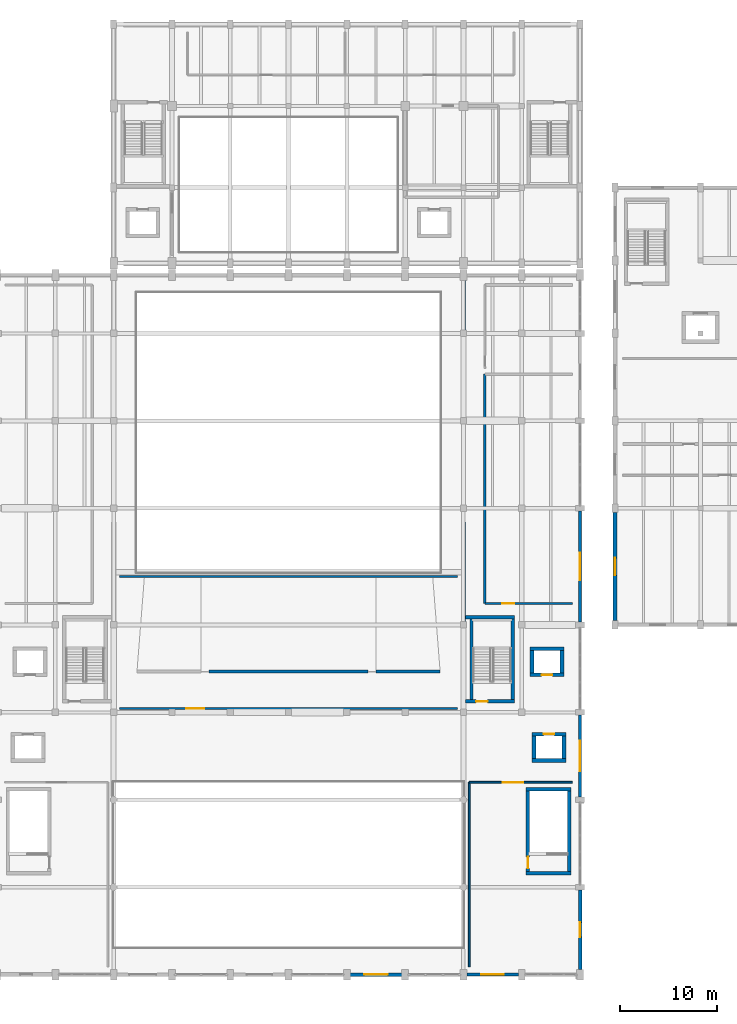
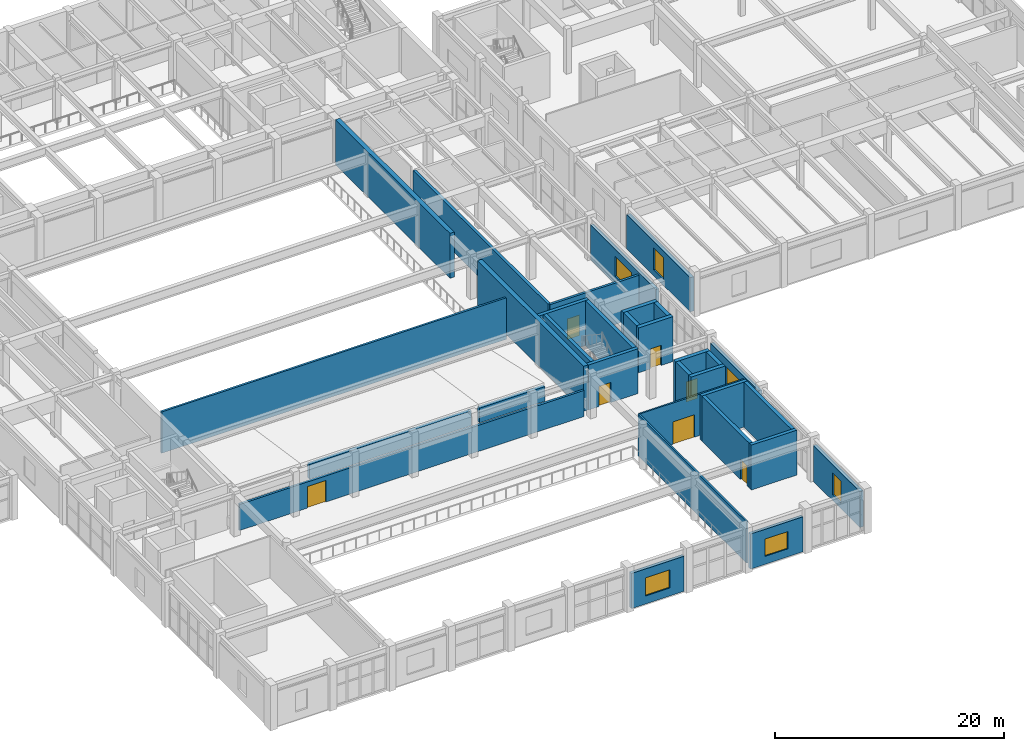
# One storey, part 58 of 80: 32 walls, 7 doors, 6 windows, 13 openings.
"""IFC4 building model written with IfcOpenShell, lengths in metres."""

from ifc_helpers import new_model, si_unit, direction, frame, frame_2d, origin, place, context, subcontext, project, spatial, rectangle, extrude, material, layer, layer_set, type_object, element, fill, save


model = new_model("IFC4")

# Units and contexts
model_context = context("Model", 3, precision=1e-05, world=origin(), true_north=direction((0.0, 1.0)))
body_context = subcontext(model_context, "Body", "Model", "MODEL_VIEW")
ifc_project = project(units=[si_unit("LENGTHUNIT", "METRE"), si_unit("AREAUNIT", "SQUARE_METRE"), si_unit("VOLUMEUNIT", "CUBIC_METRE"), si_unit("PLANEANGLEUNIT", "RADIAN"), si_unit("MASSUNIT", "GRAM", prefix="KILO")], contexts=[model_context])

# Site, building, storey
site_placement = place(None, origin())
site = spatial("IfcSite", under=ifc_project, at=site_placement, CompositionType="ELEMENT")
building_placement = place(site_placement, origin())
building = spatial("IfcBuilding", under=site, at=building_placement, Name="Vaelkrest Opera House", CompositionType="ELEMENT")
storey_placement = place(building_placement, frame((0.0, 0.0, 15.0)))
storey = spatial("IfcBuildingStorey", under=building, at=storey_placement, Name="L03", CompositionType="ELEMENT", Elevation=15.0)

# Wall, opening, window
ifc_material_1 = material(Name="American black walnut acoustic timber", Category="wood")
ifc_layer_1 = layer(ifc_material_1, 0.31494140625)
ifc_layer_set_1 = layer_set([ifc_layer_1], Name="American black walnut acoustic timber")
wall_type_1 = type_object("IfcWallType", Name="EW04", PredefinedType="STANDARD", material=ifc_layer_set_1)
wall_1_placement = place(storey_placement, frame((23.652099609375, -55.800048828125, 0.0), z_axis=(0.0, 0.0, 1.0), x_axis=(-1.0, 0.0, 0.0)))
wall_1 = element("IfcWall", 1, at=wall_1_placement, inside=storey, type_object=wall_type_1, Name="Exterior facade wall EW-V1-L03-0074", PredefinedType="STANDARD", context=body_context, shape_type="SweptSolid", body=[
    extrude(rectangle(XDim=5.30419921875, YDim=0.31494140625, at=frame_2d((2.652099609375, 0.0))), origin(), (0.0, 0.0, 1.0), 3.7451171875),
])
opening_1_placement = place(wall_1_placement, frame((1.501953125, 0.0, 0.85009765625)))
opening_1 = element("IfcOpeningElement", 2, at=opening_1_placement, cuts=wall_1, Name="Opening WN035", PredefinedType="OPENING", context=body_context, shape_type="SweptSolid", body=[
    extrude(rectangle(XDim=2.300048828125, YDim=1.85009765625, at=frame_2d((1.14990234375, 0.925048828125))), frame((0.0, 0.16748046875, 0.0), z_axis=(0.0, -1.0, 0.0), x_axis=(1.0, 0.0, 0.0)), (0.0, 0.0, 1.0), 0.3349609375),
])
ifc_material_2 = material(Name="Double low-E insulated glazing", Category="glass")
window_type_1 = type_object("IfcWindowType", Name="WT09", PartitioningType="SINGLE_PANEL", PredefinedType="WINDOW", material=ifc_material_2)
window_1_placement = place(opening_1_placement, origin())
window_1 = element("IfcWindow", 3, at=window_1_placement, inside=storey, type_object=window_type_1, Name="Facade window WN035", OverallHeight=1.85009765625, OverallWidth=2.300048828125, PartitioningType="SINGLE_PANEL", PredefinedType="WINDOW", context=body_context, shape_type="SweptSolid", body=[
    extrude(rectangle(XDim=2.300048828125, YDim=1.85009765625, at=frame_2d((1.14990234375, 0.925048828125))), frame((0.0, 0.030029296875, 0.0), z_axis=(0.0, -1.0, 0.0), x_axis=(1.0, 0.0, 0.0)), (0.0, 0.0, 1.0), 0.06005859375),
])
fill(opening_1, window_1)

wall_2_placement = place(storey_placement, frame((30.0, -8.097900390625, 0.0), z_axis=(0.0, 0.0, 1.0), x_axis=(0.0, -1.0, 0.0)))
wall_2 = element("IfcWall", 4, at=wall_2_placement, inside=storey, type_object=wall_type_1, Name="Exterior facade wall EW-V1-L03-0094", PredefinedType="STANDARD", context=body_context, shape_type="SweptSolid", body=[
    extrude(rectangle(XDim=11.404052734375, YDim=0.31494140625, at=frame_2d((5.7021484375, 0.0))), origin(), (0.0, 0.0, 1.0), 3.7451171875),
])
opening_2_placement = place(wall_2_placement, frame((4.277099609375, 0.0, 0.85009765625)))
opening_2 = element("IfcOpeningElement", 5, at=opening_2_placement, cuts=wall_2, Name="Opening WN045", PredefinedType="OPENING", context=body_context, shape_type="SweptSolid", body=[
    extrude(rectangle(XDim=2.85009765625, YDim=2.10009765625, at=frame_2d((1.425048828125, 1.050048828125))), frame((0.0, 0.16748046875, 0.0), z_axis=(0.0, -1.0, 0.0), x_axis=(1.0, 0.0, 0.0)), (0.0, 0.0, 1.0), 0.3349609375),
])
window_type_2 = type_object("IfcWindowType", Name="WT19", PartitioningType="SINGLE_PANEL", PredefinedType="WINDOW", material=ifc_material_2)
window_2_placement = place(opening_2_placement, origin())
window_2 = element("IfcWindow", 6, at=window_2_placement, inside=storey, type_object=window_type_2, Name="Facade window WN045", OverallHeight=2.10009765625, OverallWidth=2.85009765625, PartitioningType="SINGLE_PANEL", PredefinedType="WINDOW", context=body_context, shape_type="SweptSolid", body=[
    extrude(rectangle(XDim=2.85009765625, YDim=2.10009765625, at=frame_2d((1.425048828125, 1.050048828125))), frame((0.0, 0.030029296875, 0.0), z_axis=(0.0, -1.0, 0.0), x_axis=(1.0, 0.0, 0.0)), (0.0, 0.0, 1.0), 0.06005859375),
])
fill(opening_2, window_2)

ifc_layer_2 = layer(ifc_material_1, 0.3349609375)
ifc_layer_set_2 = layer_set([ifc_layer_2], Name="American black walnut acoustic timber")
wall_type_2 = type_object("IfcWallType", Name="EW05", PredefinedType="STANDARD", material=ifc_layer_set_2)
wall_3_placement = place(storey_placement, frame((11.652099609375, -55.800048828125, 0.0), z_axis=(0.0, 0.0, 1.0), x_axis=(-1.0, 0.0, 0.0)))
wall_3 = element("IfcWall", 7, at=wall_3_placement, inside=storey, type_object=wall_type_2, Name="Exterior facade wall EW-V1-L03-0075", PredefinedType="STANDARD", context=body_context, shape_type="SweptSolid", body=[
    extrude(rectangle(XDim=5.30419921875, YDim=0.3349609375, at=frame_2d((2.652099609375, 0.0))), origin(), (0.0, 0.0, 1.0), 3.7451171875),
])
opening_3_placement = place(wall_3_placement, frame((1.427001953125, 0.0, 0.85009765625)))
opening_3 = element("IfcOpeningElement", 8, at=opening_3_placement, cuts=wall_3, Name="Opening WN036", PredefinedType="OPENING", context=body_context, shape_type="SweptSolid", body=[
    extrude(rectangle(XDim=2.449951171875, YDim=1.949951171875, at=frame_2d((1.22509765625, 0.97509765625))), frame((0.0, 0.177490234375, 0.0), z_axis=(0.0, -1.0, 0.0), x_axis=(1.0, 0.0, 0.0)), (0.0, 0.0, 1.0), 0.35498046875),
])
window_type_3 = type_object("IfcWindowType", Name="WT10", PartitioningType="SINGLE_PANEL", PredefinedType="WINDOW", material=ifc_material_2)
window_3_placement = place(opening_3_placement, origin())
window_3 = element("IfcWindow", 9, at=window_3_placement, inside=storey, type_object=window_type_3, Name="Facade window WN036", OverallHeight=1.949951171875, OverallWidth=2.449951171875, PartitioningType="SINGLE_PANEL", PredefinedType="WINDOW", context=body_context, shape_type="SweptSolid", body=[
    extrude(rectangle(XDim=2.449951171875, YDim=1.949951171875, at=frame_2d((1.22509765625, 0.97509765625))), frame((0.0, 0.030029296875, 0.0), z_axis=(0.0, -1.0, 0.0), x_axis=(1.0, 0.0, 0.0)), (0.0, 0.0, 1.0), 0.06005859375),
])
fill(opening_3, window_3)

wall_4_placement = place(storey_placement, frame((30.0, -29.097900390625, 0.0), z_axis=(0.0, 0.0, 1.0), x_axis=(0.0, -1.0, 0.0)))
wall_4 = element("IfcWall", 10, at=wall_4_placement, inside=storey, type_object=wall_type_2, Name="Exterior facade wall EW-V1-L03-0095", PredefinedType="STANDARD", context=body_context, shape_type="SweptSolid", body=[
    extrude(rectangle(XDim=8.404052734375, YDim=0.3349609375, at=frame_2d((4.2021484375, 0.0))), origin(), (0.0, 0.0, 1.0), 3.8291015625),
])
opening_4_placement = place(wall_4_placement, frame((2.652099609375, 0.0, 0.85009765625)))
opening_4 = element("IfcOpeningElement", 11, at=opening_4_placement, cuts=wall_4, Name="Opening WN046", PredefinedType="OPENING", context=body_context, shape_type="SweptSolid", body=[
    extrude(rectangle(XDim=3.10009765625, YDim=2.10009765625, at=frame_2d((1.550048828125, 1.050048828125))), frame((0.0, 0.177490234375, 0.0), z_axis=(0.0, -1.0, 0.0), x_axis=(1.0, 0.0, 0.0)), (0.0, 0.0, 1.0), 0.35498046875),
])
window_type_4 = type_object("IfcWindowType", Name="WT20", PartitioningType="SINGLE_PANEL", PredefinedType="WINDOW", material=ifc_material_2)
window_4_placement = place(opening_4_placement, origin())
window_4 = element("IfcWindow", 12, at=window_4_placement, inside=storey, type_object=window_type_4, Name="Facade window WN046", OverallHeight=2.10009765625, OverallWidth=3.10009765625, PartitioningType="SINGLE_PANEL", PredefinedType="WINDOW", context=body_context, shape_type="SweptSolid", body=[
    extrude(rectangle(XDim=3.10009765625, YDim=2.10009765625, at=frame_2d((1.550048828125, 1.050048828125))), frame((0.0, 0.030029296875, 0.0), z_axis=(0.0, -1.0, 0.0), x_axis=(1.0, 0.0, 0.0)), (0.0, 0.0, 1.0), 0.06005859375),
])
fill(opening_4, window_4)

ifc_layer_3 = layer(ifc_material_1, 0.360107421875)
ifc_layer_set_3 = layer_set([ifc_layer_3], Name="American black walnut acoustic timber")
wall_type_3 = type_object("IfcWallType", Name="EW06", PredefinedType="STANDARD", material=ifc_layer_set_3)
wall_5_placement = place(storey_placement, frame((30.0, -47.097900390625, 0.0), z_axis=(0.0, 0.0, 1.0), x_axis=(0.0, -1.0, 0.0)))
wall_5 = element("IfcWall", 13, at=wall_5_placement, inside=storey, type_object=wall_type_3, Name="Exterior facade wall EW-V1-L03-0096", PredefinedType="STANDARD", context=body_context, shape_type="SweptSolid", body=[
    extrude(rectangle(XDim=8.154052734375, YDim=0.360107421875, at=frame_2d((4.0771484375, 0.0))), origin(), (0.0, 0.0, 1.0), 3.8291015625),
])
opening_5_placement = place(wall_5_placement, frame((3.326904296875, 0.0, 0.60009765625)))
opening_5 = element("IfcOpeningElement", 14, at=opening_5_placement, cuts=wall_5, Name="Opening WN047", PredefinedType="OPENING", context=body_context, shape_type="SweptSolid", body=[
    extrude(rectangle(XDim=1.5, YDim=2.35009765625, at=frame_2d((0.75, 1.175048828125))), frame((0.0, 0.18994140625, 0.0), z_axis=(0.0, -1.0, 0.0), x_axis=(1.0, 0.0, 0.0)), (0.0, 0.0, 1.0), 0.380126953125),
])
window_type_5 = type_object("IfcWindowType", Name="WT21", PartitioningType="SINGLE_PANEL", PredefinedType="WINDOW", material=ifc_material_2)
window_5_placement = place(opening_5_placement, origin())
window_5 = element("IfcWindow", 15, at=window_5_placement, inside=storey, type_object=window_type_5, Name="Facade window WN047", OverallHeight=2.35009765625, OverallWidth=1.5, PartitioningType="SINGLE_PANEL", PredefinedType="WINDOW", context=body_context, shape_type="SweptSolid", body=[
    extrude(rectangle(XDim=1.5, YDim=2.35009765625, at=frame_2d((0.75, 1.175048828125))), frame((0.0, 0.030029296875, 0.0), z_axis=(0.0, -1.0, 0.0), x_axis=(1.0, 0.0, 0.0)), (0.0, 0.0, 1.0), 0.06005859375),
])
fill(opening_5, window_5)

ifc_material_3 = material(Name="Concrete C40/50", Category="concrete")
ifc_layer_4 = layer(ifc_material_3, 0.385009765625)
ifc_layer_set_4 = layer_set([ifc_layer_4], Name="Concrete C40/50")
wall_type_4 = type_object("IfcWallType", Name="EW07", PredefinedType="STANDARD", material=ifc_layer_set_4)
wall_6_placement = place(storey_placement, frame((33.60009765625, -19.35205078125, 0.0), z_axis=(0.0, 0.0, 1.0), x_axis=(0.0, 1.0, 0.0)))
wall_6 = element("IfcWall", 16, at=wall_6_placement, inside=storey, type_object=wall_type_4, Name="Exterior facade wall EW-V4-L03-0267", PredefinedType="STANDARD", context=body_context, shape_type="SweptSolid", body=[
    extrude(rectangle(XDim=11.10400390625, YDim=0.385009765625, at=frame_2d((5.552001953125, 0.0))), origin(), (0.0, 0.0, 1.0), 3.659912109375),
])
opening_6_placement = place(wall_6_placement, frame((4.652099609375, 0.0, 0.60009765625)))
opening_6 = element("IfcOpeningElement", 17, at=opening_6_placement, cuts=wall_6, Name="Opening WN152", PredefinedType="OPENING", context=body_context, shape_type="SweptSolid", body=[
    extrude(rectangle(XDim=1.800048828125, YDim=2.35009765625, at=frame_2d((0.89990234375, 1.175048828125))), frame((0.0, 0.202392578125, 0.0), z_axis=(0.0, -1.0, 0.0), x_axis=(1.0, 0.0, 0.0)), (0.0, 0.0, 1.0), 0.405029296875),
])
window_type_6 = type_object("IfcWindowType", Name="WT22", PartitioningType="SINGLE_PANEL", PredefinedType="WINDOW", material=ifc_material_2)
window_6_placement = place(opening_6_placement, origin())
window_6 = element("IfcWindow", 18, at=window_6_placement, inside=storey, type_object=window_type_6, Name="Facade window WN152", OverallHeight=2.35009765625, OverallWidth=1.800048828125, PartitioningType="SINGLE_PANEL", PredefinedType="WINDOW", context=body_context, shape_type="SweptSolid", body=[
    extrude(rectangle(XDim=1.800048828125, YDim=2.35009765625, at=frame_2d((0.89990234375, 1.175048828125))), frame((0.0, 0.030029296875, 0.0), z_axis=(0.0, -1.0, 0.0), x_axis=(1.0, 0.0, 0.0)), (0.0, 0.0, 1.0), 0.06005859375),
])
fill(opening_6, window_6)

# Wall, opening, door
ifc_material_4 = material(Name="Gypsum acoustic board", Category="gypsum")
ifc_layer_5 = layer(ifc_material_4, 0.1650390625)
ifc_layer_set_5 = layer_set([ifc_layer_5], Name="Gypsum acoustic board")
wall_type_5 = type_object("IfcWallType", Name="PT04", PredefinedType="PARTITIONING", material=ifc_layer_set_5)
wall_7_placement = place(storey_placement, frame((18.60009765625, -36.0, 0.0), z_axis=(0.0, 0.0, 1.0), x_axis=(1.0, 0.0, 0.0)))
wall_7 = element("IfcWall", 19, at=wall_7_placement, inside=storey, type_object=wall_type_5, Name="Interior partition PT-V1-L03-0088", PredefinedType="PARTITIONING", context=body_context, shape_type="SweptSolid", body=[
    extrude(rectangle(XDim=10.599853515625, YDim=0.1650390625, at=frame_2d((5.2998046875, 0.0))), origin(), (0.0, 0.0, 1.0), 4.419921875),
])
opening_7_placement = place(wall_7_placement, frame((3.429931640625, 0.0, 0.0)))
opening_7 = element("IfcOpeningElement", 20, at=opening_7_placement, cuts=wall_7, Name="Opening D035", PredefinedType="OPENING", context=body_context, shape_type="SweptSolid", body=[
    extrude(rectangle(XDim=2.14990234375, YDim=2.39990234375, at=frame_2d((1.074951171875, 1.199951171875))), frame((0.0, 0.092529296875, 0.0), z_axis=(0.0, -1.0, 0.0), x_axis=(1.0, 0.0, 0.0)), (0.0, 0.0, 1.0), 0.18505859375),
])
door_type_1 = type_object("IfcDoorType", Name="DT17", OperationType="DOUBLE_DOOR_SINGLE_SWING", PredefinedType="DOOR", material=ifc_material_1)
door_1_placement = place(opening_7_placement, origin())
door_1 = element("IfcDoor", 21, at=door_1_placement, inside=storey, type_object=door_type_1, Name="Interior door D035 (Upper Circle Salon)", OperationType="DOUBLE_DOOR_SINGLE_SWING", OverallHeight=2.39990234375, OverallWidth=2.14990234375, PredefinedType="DOOR", context=body_context, shape_type="SweptSolid", body=[
    extrude(rectangle(XDim=2.14990234375, YDim=2.39990234375, at=frame_2d((1.074951171875, 1.199951171875))), frame((0.0, 0.02490234375, 0.0), z_axis=(0.0, -1.0, 0.0), x_axis=(1.0, 0.0, 0.0)), (0.0, 0.0, 1.0), 0.050048828125),
])
fill(opening_7, door_1)

# Walls
ifc_layer_6 = layer(ifc_material_4, 0.179931640625)
ifc_layer_set_6 = layer_set([ifc_layer_6], Name="Gypsum acoustic board")
wall_type_6 = type_object("IfcWallType", Name="PT05", PredefinedType="PARTITIONING", material=ifc_layer_set_6)
wall_8_placement = place(storey_placement, frame((18.60009765625, -55.0, 0.0), z_axis=(0.0, 0.0, 1.0), x_axis=(0.0, 1.0, 0.0)))
element("IfcWall", 22, at=wall_8_placement, inside=storey, type_object=wall_type_6, Name="Interior partition PT-V1-L03-0089", PredefinedType="PARTITIONING", context=body_context, shape_type="SweptSolid", body=[
    extrude(rectangle(XDim=19.0, YDim=0.179931640625, at=frame_2d((9.5, 0.0))), origin(), (0.0, 0.0, 1.0), 4.419921875),
])
ifc_layer_7 = layer(ifc_material_1, 0.2099609375)
ifc_layer_set_7 = layer_set([ifc_layer_7], Name="American black walnut acoustic timber")
wall_type_7 = type_object("IfcWallType", Name="PT07", PredefinedType="PARTITIONING", material=ifc_layer_set_7)
wall_9_placement = place(storey_placement, frame((-17.39990234375, -14.800048828125, 0.0), z_axis=(0.0, 0.0, 1.0), x_axis=(1.0, 0.0, 0.0)))
element("IfcWall", 23, at=wall_9_placement, inside=storey, type_object=wall_type_7, Name="Interior partition PT-V1-L03-0085", PredefinedType="PARTITIONING", context=body_context, shape_type="SweptSolid", body=[
    extrude(rectangle(XDim=34.7998046875, YDim=0.2099609375, at=frame_2d((17.39990234375, 0.0))), origin(), (0.0, 0.0, 1.0), 4.419921875),
])

# Wall, opening, door
ifc_layer_8 = layer(ifc_material_1, 0.22509765625)
ifc_layer_set_8 = layer_set([ifc_layer_8], Name="American black walnut acoustic timber")
wall_type_8 = type_object("IfcWallType", Name="PT08", PredefinedType="PARTITIONING", material=ifc_layer_set_8)
wall_10_placement = place(storey_placement, frame((-17.39990234375, -28.39990234375, 0.0), z_axis=(0.0, 0.0, 1.0), x_axis=(1.0, 0.0, 0.0)))
wall_10 = element("IfcWall", 24, at=wall_10_placement, inside=storey, type_object=wall_type_8, Name="Interior partition PT-V1-L03-0084", PredefinedType="PARTITIONING", context=body_context, shape_type="SweptSolid", body=[
    extrude(rectangle(XDim=34.7998046875, YDim=0.22509765625, at=frame_2d((17.39990234375, 0.0))), origin(), (0.0, 0.0, 1.0), 2.7900390625),
])
opening_8_placement = place(wall_10_placement, frame((6.875, 0.0, 0.0)))
opening_8 = element("IfcOpeningElement", 25, at=opening_8_placement, cuts=wall_10, Name="Opening D033", PredefinedType="OPENING", context=body_context, shape_type="SweptSolid", body=[
    extrude(rectangle(XDim=1.85009765625, YDim=2.300048828125, at=frame_2d((0.925048828125, 1.14990234375))), frame((0.0, 0.12255859375, 0.0), z_axis=(0.0, -1.0, 0.0), x_axis=(1.0, 0.0, 0.0)), (0.0, 0.0, 1.0), 0.2451171875),
])
door_type_2 = type_object("IfcDoorType", Name="DT15", OperationType="DOUBLE_DOOR_SINGLE_SWING", PredefinedType="DOOR", material=ifc_material_1)
door_2_placement = place(opening_8_placement, origin())
door_2 = element("IfcDoor", 26, at=door_2_placement, inside=storey, type_object=door_type_2, Name="Interior door D033 (Auditorium Upper Circle Tier 3)", OperationType="DOUBLE_DOOR_SINGLE_SWING", OverallHeight=2.300048828125, OverallWidth=1.85009765625, PredefinedType="DOOR", context=body_context, shape_type="SweptSolid", body=[
    extrude(rectangle(XDim=1.85009765625, YDim=2.300048828125, at=frame_2d((0.925048828125, 1.14990234375))), frame((0.0, 0.02490234375, 0.0), z_axis=(0.0, -1.0, 0.0), x_axis=(1.0, 0.0, 0.0)), (0.0, 0.0, 1.0), 0.050048828125),
])
fill(opening_8, door_2)

ifc_layer_9 = layer(ifc_material_3, 0.239990234375)
ifc_layer_set_9 = layer_set([ifc_layer_9], Name="Concrete C40/50")
wall_type_9 = type_object("IfcWallType", Name="PT09", PredefinedType="PARTITIONING", material=ifc_layer_set_9)
wall_11_placement = place(storey_placement, frame((20.199951171875, -17.60009765625, 0.0), z_axis=(0.0, 0.0, 1.0), x_axis=(1.0, 0.0, 0.0)))
wall_11 = element("IfcWall", 27, at=wall_11_placement, inside=storey, type_object=wall_type_9, Name="Interior partition PT-V1-L03-0093", PredefinedType="PARTITIONING", context=body_context, shape_type="SweptSolid", body=[
    extrude(rectangle(XDim=9.0, YDim=0.239990234375, at=frame_2d((4.5, 0.0))), origin(), (0.0, 0.0, 1.0), 4.419921875),
])
opening_9_placement = place(wall_11_placement, frame((1.805908203125, 0.0, 0.0)))
opening_9 = element("IfcOpeningElement", 28, at=opening_9_placement, cuts=wall_11, Name="Opening D037", PredefinedType="OPENING", context=body_context, shape_type="SweptSolid", body=[
    extrude(rectangle(XDim=1.239990234375, YDim=2.199951171875, at=frame_2d((0.6201171875, 1.10009765625))), frame((0.0, 0.1298828125, 0.0), z_axis=(0.0, -1.0, 0.0), x_axis=(1.0, 0.0, 0.0)), (0.0, 0.0, 1.0), 0.260009765625),
])
door_type_3 = type_object("IfcDoorType", Name="DT08", OperationType="NOTDEFINED", PredefinedType="DOOR", material=ifc_material_1)
door_3_placement = place(opening_9_placement, origin())
door_3 = element("IfcDoor", 29, at=door_3_placement, inside=storey, type_object=door_type_3, Name="Interior door D037 (Audio Mixing Room)", OperationType="SINGLE_SWING_RIGHT", OverallHeight=2.199951171875, OverallWidth=1.239990234375, PredefinedType="DOOR", context=body_context, shape_type="SweptSolid", body=[
    extrude(rectangle(XDim=1.239990234375, YDim=2.199951171875, at=frame_2d((0.6201171875, 1.10009765625))), frame((0.0, 0.02490234375, 0.0), z_axis=(0.0, -1.0, 0.0), x_axis=(1.0, 0.0, 0.0)), (0.0, 0.0, 1.0), 0.050048828125),
])
fill(opening_9, door_3)

# Walls
ifc_layer_10 = layer(ifc_material_3, 0.280029296875)
ifc_layer_set_10 = layer_set([ifc_layer_10], Name="Concrete C40/50")
wall_type_10 = type_object("IfcWallType", Name="PT11", PredefinedType="PARTITIONING", material=ifc_layer_set_10)
wall_12_placement = place(storey_placement, frame((20.199951171875, -17.60009765625, 0.0), z_axis=(0.0, 0.0, 1.0), x_axis=(0.0, 1.0, 0.0)))
element("IfcWall", 30, at=wall_12_placement, inside=storey, type_object=wall_type_10, Name="Interior partition PT-V1-L03-0095", PredefinedType="PARTITIONING", context=body_context, shape_type="SweptSolid", body=[
    extrude(rectangle(XDim=23.60009765625, YDim=0.280029296875, at=frame_2d((11.800048828125, 0.0))), origin(), (0.0, 0.0, 1.0), 4.419921875),
])
ifc_material_5 = material(Name="Concrete C50/60", Category="concrete")
ifc_layer_11 = layer(ifc_material_5, 0.35009765625)
ifc_layer_set_11 = layer_set([ifc_layer_11], Name="Concrete C50/60")
wall_type_11 = type_object("IfcWallType", Name="SW01", PredefinedType="SHEAR", material=ifc_layer_set_11)
wall_13_placement = place(storey_placement, frame((-8.199951171875, -24.60009765625, 0.0), z_axis=(0.0, 0.0, 1.0), x_axis=(1.0, 0.0, 0.0)))
element("IfcWall", 31, at=wall_13_placement, inside=storey, type_object=wall_type_11, Name="Auditorium seating tier rear wall L03-2", PredefinedType="SHEAR", context=body_context, shape_type="SweptSolid", body=[
    extrude(rectangle(XDim=16.39990234375, YDim=0.35009765625, at=frame_2d((8.199951171875, 0.0))), origin(), (0.0, 0.0, 1.0), 1.56494140625),
])
wall_14_placement = place(storey_placement, frame((9.0, -24.60009765625, 0.0), z_axis=(0.0, 0.0, 1.0), x_axis=(1.0, 0.0, 0.0)))
element("IfcWall", 32, at=wall_14_placement, inside=storey, type_object=wall_type_11, Name="Auditorium seating tier rear wall L03-3", PredefinedType="SHEAR", context=body_context, shape_type="SweptSolid", body=[
    extrude(rectangle(XDim=6.60009765625, YDim=0.35009765625, at=frame_2d((3.300048828125, 0.0))), origin(), (0.0, 0.0, 1.0), 1.56494140625),
])

# Wall, opening, door
wall_15_placement = place(storey_placement, frame((23.25, -27.675048828125, 0.0), z_axis=(0.0, 0.0, 1.0), x_axis=(-1.0, 0.0, 0.0)))
wall_15 = element("IfcWall", 33, at=wall_15_placement, inside=storey, type_object=wall_type_11, Name="Stair core ST02 wall L03 S", PredefinedType="SHEAR", context=body_context, shape_type="SweptSolid", body=[
    extrude(rectangle(XDim=5.02490234375, YDim=0.35009765625, at=frame_2d((2.512451171875, 0.0))), origin(), (0.0, 0.0, 1.0), 4.800048828125),
])
opening_10_placement = place(wall_15_placement, frame((2.77001953125, 0.0, 0.0)))
opening_10 = element("IfcOpeningElement", 34, at=opening_10_placement, cuts=wall_15, Name="Opening SD-ST02-L03", PredefinedType="OPENING", context=body_context, shape_type="SweptSolid", body=[
    extrude(rectangle(XDim=1.179931640625, YDim=2.14990234375, at=frame_2d((0.58984375, 1.074951171875))), frame((0.0, 0.18505859375, 0.0), z_axis=(0.0, -1.0, 0.0), x_axis=(1.0, 0.0, 0.0)), (0.0, 0.0, 1.0), 0.3701171875),
])
door_type_4 = type_object("IfcDoorType", Name="DT07", OperationType="NOTDEFINED", PredefinedType="DOOR", material=ifc_material_1)
door_4_placement = place(opening_10_placement, origin())
door_4 = element("IfcDoor", 35, at=door_4_placement, inside=storey, type_object=door_type_4, Name="Protected stair door SD-ST02-L03", OperationType="SINGLE_SWING_LEFT", OverallHeight=2.14990234375, OverallWidth=1.179931640625, PredefinedType="DOOR", context=body_context, shape_type="SweptSolid", body=[
    extrude(rectangle(XDim=1.179931640625, YDim=2.14990234375, at=frame_2d((0.58984375, 1.074951171875))), frame((0.0, 0.02490234375, 0.0), z_axis=(0.0, -1.0, 0.0), x_axis=(1.0, 0.0, 0.0)), (0.0, 0.0, 1.0), 0.050048828125),
])
fill(opening_10, door_4)

# Walls
wall_16_placement = place(storey_placement, frame((18.824951171875, -27.5, 0.0), z_axis=(0.0, 0.0, 1.0), x_axis=(0.0, 1.0, 0.0)))
element("IfcWall", 36, at=wall_16_placement, inside=storey, type_object=wall_type_11, Name="Stair core ST02 wall L03 W", PredefinedType="SHEAR", context=body_context, shape_type="SweptSolid", body=[
    extrude(rectangle(XDim=8.300048828125, YDim=0.35009765625, at=frame_2d((4.14990234375, 0.0))), origin(), (0.0, 0.0, 1.0), 4.800048828125),
])
wall_17_placement = place(storey_placement, frame((18.22509765625, -19.02490234375, 0.0), z_axis=(0.0, 0.0, 1.0), x_axis=(1.0, 0.0, 0.0)))
element("IfcWall", 37, at=wall_17_placement, inside=storey, type_object=wall_type_11, Name="Stair core ST02 wall L03 N", PredefinedType="SHEAR", context=body_context, shape_type="SweptSolid", body=[
    extrude(rectangle(XDim=5.02490234375, YDim=0.35009765625, at=frame_2d((2.512451171875, 0.0))), origin(), (0.0, 0.0, 1.0), 4.800048828125),
])
wall_18_placement = place(storey_placement, frame((23.074951171875, -19.199951171875, 0.0), z_axis=(0.0, 0.0, 1.0), x_axis=(0.0, -1.0, 0.0)))
element("IfcWall", 38, at=wall_18_placement, inside=storey, type_object=wall_type_11, Name="Stair core ST02 wall L03 E", PredefinedType="SHEAR", context=body_context, shape_type="SweptSolid", body=[
    extrude(rectangle(XDim=8.300048828125, YDim=0.35009765625, at=frame_2d((4.14990234375, 0.0))), origin(), (0.0, 0.0, 1.0), 4.800048828125),
])
wall_19_placement = place(storey_placement, frame((29.050048828125, -45.375, 0.0), z_axis=(0.0, 0.0, 1.0), x_axis=(-1.0, 0.0, 0.0)))
element("IfcWall", 39, at=wall_19_placement, inside=storey, type_object=wall_type_11, Name="Stair core ST04 wall L03 S", PredefinedType="SHEAR", context=body_context, shape_type="SweptSolid", body=[
    extrude(rectangle(XDim=4.60009765625, YDim=0.35009765625, at=frame_2d((2.300048828125, 0.0))), origin(), (0.0, 0.0, 1.0), 4.800048828125),
])

# Wall, opening, door
wall_20_placement = place(storey_placement, frame((24.625, -45.199951171875, 0.0), z_axis=(0.0, 0.0, 1.0), x_axis=(0.0, 1.0, 0.0)))
wall_20 = element("IfcWall", 40, at=wall_20_placement, inside=storey, type_object=wall_type_11, Name="Stair core ST04 wall L03 W", PredefinedType="SHEAR", context=body_context, shape_type="SweptSolid", body=[
    extrude(rectangle(XDim=8.300048828125, YDim=0.35009765625, at=frame_2d((4.14990234375, 0.0))), origin(), (0.0, 0.0, 1.0), 4.800048828125),
])
opening_11_placement = place(wall_20_placement, frame((0.35009765625, 0.0, 0.0)))
opening_11 = element("IfcOpeningElement", 41, at=opening_11_placement, cuts=wall_20, Name="Opening SD-ST04-L03", PredefinedType="OPENING", context=body_context, shape_type="SweptSolid", body=[
    extrude(rectangle(XDim=1.179931640625, YDim=2.14990234375, at=frame_2d((0.58984375, 1.074951171875))), frame((0.0, 0.18505859375, 0.0), z_axis=(0.0, -1.0, 0.0), x_axis=(1.0, 0.0, 0.0)), (0.0, 0.0, 1.0), 0.3701171875),
])
door_5_placement = place(opening_11_placement, origin())
door_5 = element("IfcDoor", 42, at=door_5_placement, inside=storey, type_object=door_type_4, Name="Protected stair door SD-ST04-L03", OperationType="SINGLE_SWING_LEFT", OverallHeight=2.14990234375, OverallWidth=1.179931640625, PredefinedType="DOOR", context=body_context, shape_type="SweptSolid", body=[
    extrude(rectangle(XDim=1.179931640625, YDim=2.14990234375, at=frame_2d((0.58984375, 1.074951171875))), frame((0.0, 0.02490234375, 0.0), z_axis=(0.0, -1.0, 0.0), x_axis=(1.0, 0.0, 0.0)), (0.0, 0.0, 1.0), 0.050048828125),
])
fill(opening_11, door_5)

# Walls
wall_21_placement = place(storey_placement, frame((24.449951171875, -36.72509765625, 0.0), z_axis=(0.0, 0.0, 1.0), x_axis=(1.0, 0.0, 0.0)))
element("IfcWall", 43, at=wall_21_placement, inside=storey, type_object=wall_type_11, Name="Stair core ST04 wall L03 N", PredefinedType="SHEAR", context=body_context, shape_type="SweptSolid", body=[
    extrude(rectangle(XDim=4.60009765625, YDim=0.35009765625, at=frame_2d((2.300048828125, 0.0))), origin(), (0.0, 0.0, 1.0), 4.800048828125),
])
wall_22_placement = place(storey_placement, frame((28.875, -36.89990234375, 0.0), z_axis=(0.0, 0.0, 1.0), x_axis=(0.0, -1.0, 0.0)))
element("IfcWall", 44, at=wall_22_placement, inside=storey, type_object=wall_type_11, Name="Stair core ST04 wall L03 E", PredefinedType="SHEAR", context=body_context, shape_type="SweptSolid", body=[
    extrude(rectangle(XDim=8.300048828125, YDim=0.35009765625, at=frame_2d((4.14990234375, 0.0))), origin(), (0.0, 0.0, 1.0), 4.800048828125),
])

# Wall, opening, door
ifc_layer_12 = layer(ifc_material_5, 0.389892578125)
ifc_layer_set_12 = layer_set([ifc_layer_12], Name="Concrete C50/60")
wall_type_12 = type_object("IfcWallType", Name="SW02", PredefinedType="SHEAR", material=ifc_layer_set_12)
wall_23_placement = place(storey_placement, frame((28.340087890625, -24.945068359375, 0.0), z_axis=(0.0, 0.0, 1.0), x_axis=(-1.0, 0.0, 0.0)))
wall_23 = element("IfcWall", 45, at=wall_23_placement, inside=storey, type_object=wall_type_12, Name="Lift shaft LP02 wall L03 S", PredefinedType="SHEAR", context=body_context, shape_type="SweptSolid", body=[
    extrude(rectangle(XDim=3.47998046875, YDim=0.389892578125, at=frame_2d((1.739990234375, 0.0))), origin(), (0.0, 0.0, 1.0), 4.800048828125),
])
opening_12_placement = place(wall_23_placement, frame((1.18994140625, 0.0, 0.0)))
opening_12 = element("IfcOpeningElement", 46, at=opening_12_placement, cuts=wall_23, Name="Opening LD-LP02-L03", PredefinedType="OPENING", context=body_context, shape_type="SweptSolid", body=[
    extrude(rectangle(XDim=1.10009765625, YDim=2.14990234375, at=frame_2d((0.550048828125, 1.074951171875))), frame((0.0, 0.204833984375, 0.0), z_axis=(0.0, -1.0, 0.0), x_axis=(1.0, 0.0, 0.0)), (0.0, 0.0, 1.0), 0.409912109375),
])
ifc_material_6 = material(Name="Dark bronze anodized aluminium", Category="aluminium")
door_type_5 = type_object("IfcDoorType", Name="LDT01", OperationType="SLIDING_TO_LEFT", PredefinedType="DOOR", material=ifc_material_6)
door_6_placement = place(opening_12_placement, origin())
door_6 = element("IfcDoor", 47, at=door_6_placement, inside=storey, type_object=door_type_5, Name="Lift landing sliding door LD-LP02-L03", OperationType="SLIDING_TO_LEFT", OverallHeight=2.14990234375, OverallWidth=1.10009765625, PredefinedType="DOOR", context=body_context, shape_type="SweptSolid", body=[
    extrude(rectangle(XDim=1.10009765625, YDim=2.14990234375, at=frame_2d((0.550048828125, 1.074951171875))), frame((0.0, 0.02490234375, 0.0), z_axis=(0.0, -1.0, 0.0), x_axis=(1.0, 0.0, 0.0)), (0.0, 0.0, 1.0), 0.050048828125),
])
fill(opening_12, door_6)

# Walls
wall_24_placement = place(storey_placement, frame((24.860107421875, -22.2548828125, 0.0), z_axis=(0.0, 0.0, 1.0), x_axis=(1.0, 0.0, 0.0)))
element("IfcWall", 48, at=wall_24_placement, inside=storey, type_object=wall_type_12, Name="Lift shaft LP02 wall L03 N", PredefinedType="SHEAR", context=body_context, shape_type="SweptSolid", body=[
    extrude(rectangle(XDim=3.47998046875, YDim=0.389892578125, at=frame_2d((1.739990234375, 0.0))), origin(), (0.0, 0.0, 1.0), 4.800048828125),
])
for number, where, z_axis, x_axis, name in (
    (49, (25.054931640625, -24.75, 0.0), (0.0, 0.0, 1.0), (0.0, 1.0, 0.0), "Lift shaft LP02 wall L03 W"),
    (50, (28.14501953125, -22.449951171875, 0.0), (0.0, 0.0, 1.0), (0.0, -1.0, 0.0), "Lift shaft LP02 wall L03 E"),
):
    element("IfcWall", number, at=place(storey_placement, frame(where, z_axis=z_axis, x_axis=x_axis)), inside=storey, type_object=wall_type_12, Name=name, PredefinedType="SHEAR", context=body_context, shape_type="SweptSolid", body=[
        extrude(rectangle(XDim=2.300048828125, YDim=0.389892578125, at=frame_2d((1.14990234375, 0.0))), origin(), (0.0, 0.0, 1.0), 4.800048828125),
    ])
wall_25_placement = place(storey_placement, frame((28.5400390625, -33.7451171875, 0.0), z_axis=(0.0, 0.0, 1.0), x_axis=(-1.0, 0.0, 0.0)))
element("IfcWall", 51, at=wall_25_placement, inside=storey, type_object=wall_type_12, Name="Lift shaft LP04 wall L03 S", PredefinedType="SHEAR", context=body_context, shape_type="SweptSolid", body=[
    extrude(rectangle(XDim=3.47998046875, YDim=0.389892578125, at=frame_2d((1.739990234375, 0.0))), origin(), (0.0, 0.0, 1.0), 4.800048828125),
])

# Wall, opening, door
wall_26_placement = place(storey_placement, frame((25.06005859375, -31.054931640625, 0.0), z_axis=(0.0, 0.0, 1.0), x_axis=(1.0, 0.0, 0.0)))
wall_26 = element("IfcWall", 52, at=wall_26_placement, inside=storey, type_object=wall_type_12, Name="Lift shaft LP04 wall L03 N", PredefinedType="SHEAR", context=body_context, shape_type="SweptSolid", body=[
    extrude(rectangle(XDim=3.47998046875, YDim=0.389892578125, at=frame_2d((1.739990234375, 0.0))), origin(), (0.0, 0.0, 1.0), 4.800048828125),
])
opening_13_placement = place(wall_26_placement, frame((1.18994140625, 0.0, 0.0)))
opening_13 = element("IfcOpeningElement", 53, at=opening_13_placement, cuts=wall_26, Name="Opening LD-LP04-L03", PredefinedType="OPENING", context=body_context, shape_type="SweptSolid", body=[
    extrude(rectangle(XDim=1.10009765625, YDim=2.14990234375, at=frame_2d((0.550048828125, 1.074951171875))), frame((0.0, 0.204833984375, 0.0), z_axis=(0.0, -1.0, 0.0), x_axis=(1.0, 0.0, 0.0)), (0.0, 0.0, 1.0), 0.409912109375),
])
door_7_placement = place(opening_13_placement, origin())
door_7 = element("IfcDoor", 54, at=door_7_placement, inside=storey, type_object=door_type_5, Name="Lift landing sliding door LD-LP04-L03", OperationType="SLIDING_TO_LEFT", OverallHeight=2.14990234375, OverallWidth=1.10009765625, PredefinedType="DOOR", context=body_context, shape_type="SweptSolid", body=[
    extrude(rectangle(XDim=1.10009765625, YDim=2.14990234375, at=frame_2d((0.550048828125, 1.074951171875))), frame((0.0, 0.02490234375, 0.0), z_axis=(0.0, -1.0, 0.0), x_axis=(1.0, 0.0, 0.0)), (0.0, 0.0, 1.0), 0.050048828125),
])
fill(opening_13, door_7)

# Walls
for number, where, z_axis, x_axis, name in (
    (55, (25.2548828125, -33.550048828125, 0.0), (0.0, 0.0, 1.0), (0.0, 1.0, 0.0), "Lift shaft LP04 wall L03 W"),
    (56, (28.344970703125, -31.25, 0.0), (0.0, 0.0, 1.0), (0.0, -1.0, 0.0), "Lift shaft LP04 wall L03 E"),
):
    element("IfcWall", number, at=place(storey_placement, frame(where, z_axis=z_axis, x_axis=x_axis)), inside=storey, type_object=wall_type_12, Name=name, PredefinedType="SHEAR", context=body_context, shape_type="SweptSolid", body=[
        extrude(rectangle(XDim=2.300048828125, YDim=0.389892578125, at=frame_2d((1.14990234375, 0.0))), origin(), (0.0, 0.0, 1.0), 4.800048828125),
    ])
ifc_layer_13 = layer(ifc_material_5, 0.449951171875)
ifc_layer_set_13 = layer_set([ifc_layer_13], Name="Concrete C50/60")
wall_type_13 = type_object("IfcWallType", Name="SW03", PredefinedType="SHEAR", material=ifc_layer_set_13)
wall_27_placement = place(storey_placement, frame((18.0, -27.800048828125, 0.0), z_axis=(0.0, 0.0, 1.0), x_axis=(0.0, 1.0, 0.0)))
element("IfcWall", 57, at=wall_27_placement, inside=storey, type_object=wall_type_13, Name="Auditorium shell wall E1 L03", PredefinedType="SHEAR", context=body_context, shape_type="SweptSolid", body=[
    extrude(rectangle(XDim=18.60009765625, YDim=0.449951171875, at=frame_2d((9.300048828125, 0.0))), origin(), (0.0, 0.0, 1.0), 4.800048828125),
])
wall_28_placement = place(storey_placement, frame((18.0, -4.39990234375, 0.0), z_axis=(0.0, 0.0, 1.0), x_axis=(0.0, 1.0, 0.0)))
element("IfcWall", 58, at=wall_28_placement, inside=storey, type_object=wall_type_13, Name="Auditorium shell wall E2 L03", PredefinedType="SHEAR", context=body_context, shape_type="SweptSolid", body=[
    extrude(rectangle(XDim=20.0498046875, YDim=0.449951171875, at=frame_2d((10.02490234375, 0.0))), origin(), (0.0, 0.0, 1.0), 4.800048828125),
])

save(model, "model.ifc")
